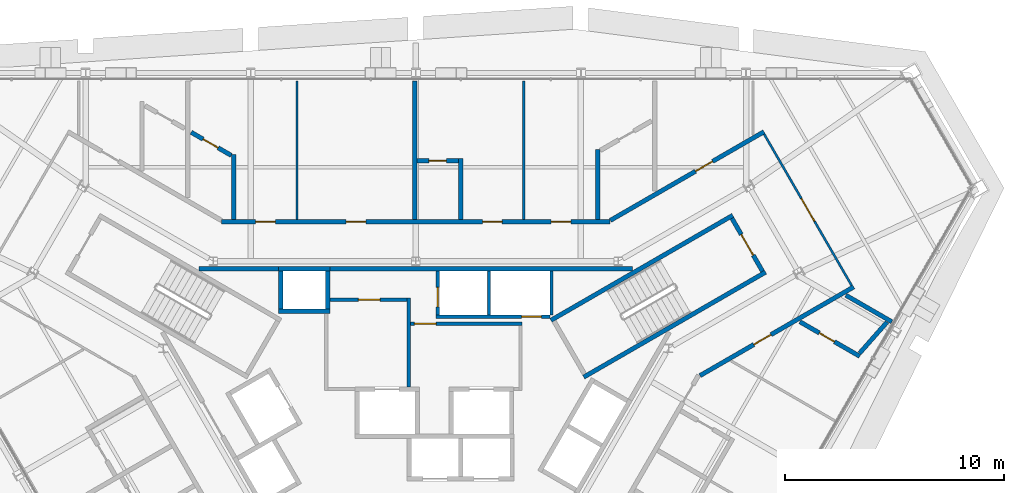
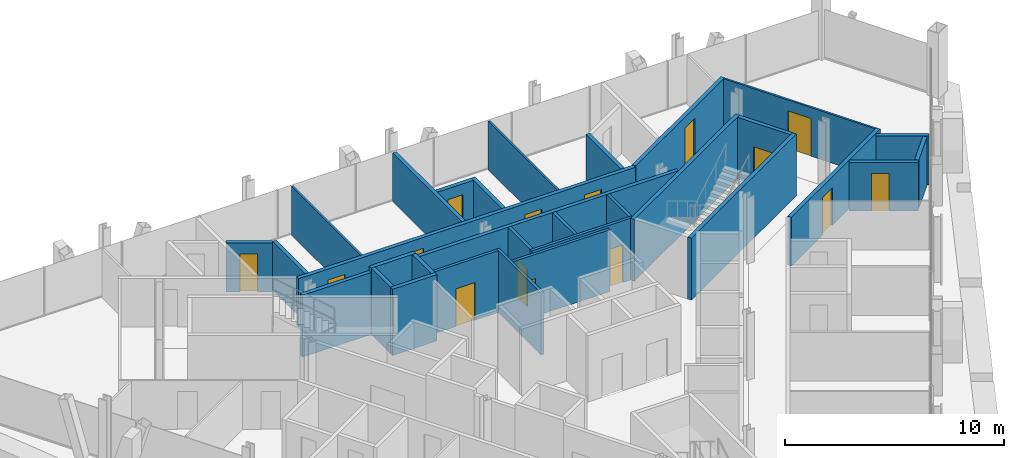
# One storey, part 11 of 13: 31 walls, 15 doors, 15 openings.
"""IFC4 building model written with IfcOpenShell, lengths in metres."""

from ifc_helpers import new_model, si_unit, direction, frame, frame_2d, origin, place, context, subcontext, project, spatial, rectangle, extrude, material, layer, layer_set, type_object, element, fill, save


model = new_model("IFC4")

# Units and contexts
model_context = context("Model", 3, precision=1e-05, world=origin(), true_north=direction((0.0, 1.0)))
body_context = subcontext(model_context, "Body", "Model", "MODEL_VIEW")
ifc_project = project(units=[si_unit("LENGTHUNIT", "METRE"), si_unit("AREAUNIT", "SQUARE_METRE"), si_unit("VOLUMEUNIT", "CUBIC_METRE"), si_unit("PLANEANGLEUNIT", "RADIAN"), si_unit("MASSUNIT", "GRAM", prefix="KILO")], contexts=[model_context])

# Site, building, storey
site_placement = place(None, origin())
site = spatial("IfcSite", under=ifc_project, at=site_placement, CompositionType="ELEMENT")
building_placement = place(site_placement, origin())
building = spatial("IfcBuilding", under=site, at=building_placement, Name="Verrane Prism Tower", CompositionType="ELEMENT")
storey_placement = place(building_placement, frame((0.0, 0.0, 152.5)))
storey = spatial("IfcBuildingStorey", under=building, at=storey_placement, Name="L37", CompositionType="ELEMENT", Elevation=152.5)

# Walls
ifc_material_1 = material(Name="Gypsum board partition", Category="other")
ifc_layer_1 = layer(ifc_material_1, 0.199951171875)
ifc_layer_set_1 = layer_set([ifc_layer_1], Name="CW-200 core boundary wall 2 h")
wall_type_1 = type_object("IfcWallType", Name="CW-200 core boundary wall 2 h", PredefinedType="PARTITIONING", material=ifc_layer_set_1)
wall_1_placement = place(storey_placement, frame((-9.907958984375, 7.659912109375, 0.0), z_axis=(0.0, 0.0, 1.0), x_axis=(1.0, 0.0, 0.0)))
element("IfcWall", 1, at=wall_1_placement, inside=storey, type_object=wall_type_1, Name="Core boundary wall CW3-002", PredefinedType="PARTITIONING", context=body_context, shape_type="SweptSolid", body=[
    extrude(rectangle(XDim=3.620849609375, YDim=0.199951171875, at=frame_2d((1.810546875, 0.0))), origin(), (0.0, 0.0, 1.0), 3.449951171875),
])
wall_2_placement = place(storey_placement, frame((-3.93310546875, 7.659912109375, 0.0), z_axis=(0.0, 0.0, 1.0), x_axis=(1.0, 0.0, 0.0)))
element("IfcWall", 2, at=wall_2_placement, inside=storey, type_object=wall_type_1, Name="Core boundary wall CW3-005", PredefinedType="PARTITIONING", context=body_context, shape_type="SweptSolid", body=[
    extrude(rectangle(XDim=13.841064453125, YDim=0.199951171875, at=frame_2d((6.92041015625, 0.0))), origin(), (0.0, 0.0, 1.0), 3.449951171875),
])

# Wall, opening, door
ifc_material_2 = material(Name="Concrete C40/50", Category="concrete")
ifc_layer_2 = layer(ifc_material_2, 0.199951171875)
ifc_layer_set_2 = layer_set([ifc_layer_2], Name="CW-200 stair core wall concrete C40/50 3 h")
wall_type_2 = type_object("IfcWallType", Name="CW-200 stair core wall concrete C40/50 3 h", PredefinedType="PARTITIONING", material=ifc_layer_set_2)
wall_3_placement = place(storey_placement, frame((15.85546875, 7.53759765625, 0.0), z_axis=(0.0, 0.0, 1.0), x_axis=(-0.500049511043, 0.865996816683, 0.0)))
wall_3 = element("IfcWall", 3, at=wall_3_placement, inside=storey, type_object=wall_type_2, Name="Stair 1 enclosure wall", PredefinedType="PARTITIONING", context=body_context, shape_type="SweptSolid", body=[
    extrude(rectangle(XDim=2.800048828125, YDim=0.199951171875, at=frame_2d((1.39990234375, 0.0))), origin(), (0.0, 0.0, 1.0), 3.449951171875),
])
opening_1_placement = place(wall_3_placement, frame((0.849853515625, 0.0, 0.0)))
opening_1 = element("IfcOpeningElement", 4, at=opening_1_placement, cuts=wall_3, Name="Opening D36500", PredefinedType="OPENING", context=body_context, shape_type="SweptSolid", body=[
    extrude(rectangle(XDim=1.10009765625, YDim=2.10009765625, at=frame_2d((0.550048828125, 1.050048828125))), frame((0.0, 0.10986328125, 0.0), z_axis=(0.0, -1.0, 0.0), x_axis=(1.0, 0.0, 0.0)), (0.0, 0.0, 1.0), 0.219970703125),
])
ifc_material_3 = material(Name="Timber veneered door leaf", Category="wood")
door_type_1 = type_object("IfcDoorType", Name="DR-1100x2100 FD90 single leaf stair", OperationType="NOTDEFINED", PredefinedType="DOOR", material=ifc_material_3)
door_1_placement = place(opening_1_placement, origin())
door_1 = element("IfcDoor", 5, at=door_1_placement, inside=storey, type_object=door_type_1, Name="Stair 1 door", OperationType="SINGLE_SWING_LEFT", OverallHeight=2.10009765625, OverallWidth=1.10009765625, PredefinedType="DOOR", context=body_context, shape_type="SweptSolid", body=[
    extrude(rectangle(XDim=1.10009765625, YDim=2.10009765625, at=frame_2d((0.550048828125, 1.050048828125))), frame((0.0, 0.02490234375, 0.0), z_axis=(0.0, -1.0, 0.0), x_axis=(1.0, 0.0, 0.0)), (0.0, 0.0, 1.0), 0.050048828125),
])
fill(opening_1, door_1)

# Walls
for number, where, z_axis, x_axis, name in (
    (6, (6.17822265625, 5.299072265625, 0.0), (0.0, 0.0, 1.0), (0.866019993635, 0.500009370536, 0.0), "Stair 1 enclosure wall"),
    (7, (7.67822265625, 2.700927734375, 0.0), (0.0, 0.0, 1.0), (0.866019993635, 0.500009370536, 0.0), "Stair 1 enclosure wall"),
):
    element("IfcWall", number, at=place(storey_placement, frame(where, z_axis=z_axis, x_axis=x_axis)), inside=storey, type_object=wall_type_2, Name=name, PredefinedType="PARTITIONING", context=body_context, shape_type="SweptSolid", body=[
        extrude(rectangle(XDim=9.599853515625, YDim=0.199951171875, at=frame_2d((4.7998046875, 0.0))), origin(), (0.0, 0.0, 1.0), 3.449951171875),
    ])
ifc_material_4 = material(Name="Gypsum board shaft wall assembly", Category="other")
ifc_layer_3 = layer(ifc_material_4, 0.199951171875)
ifc_layer_set_3 = layer_set([ifc_layer_3], Name="HW-200 lift shaft wall 2 h")
wall_type_3 = type_object("IfcWallType", Name="HW-200 lift shaft wall 2 h", PredefinedType="PARTITIONING", material=ifc_layer_set_3)
for number, where, z_axis, x_axis, name in (
    (8, (-6.284912109375, 5.7099609375, 0.0), (0.0, 0.0, 1.0), (1.0, 0.0, 0.0), "Lift shaft wall"),
    (9, (-6.284912109375, 7.659912109375, 0.0), (0.0, 0.0, 1.0), (1.0, 0.0, 0.0), "Lift shaft wall"),
):
    element("IfcWall", number, at=place(storey_placement, frame(where, z_axis=z_axis, x_axis=x_axis)), inside=storey, type_object=wall_type_3, Name=name, PredefinedType="PARTITIONING", context=body_context, shape_type="SweptSolid", body=[
        extrude(rectangle(XDim=2.349853515625, YDim=0.199951171875, at=frame_2d((1.1748046875, 0.0))), origin(), (0.0, 0.0, 1.0), 3.699951171875),
    ])
for number, where, z_axis, x_axis, name in (
    (10, (-4.034912109375, 5.81005859375, 0.0), (0.0, 0.0, 1.0), (0.0, 1.0, 0.0), "Lift shaft wall"),
    (11, (-6.18505859375, 5.81005859375, 0.0), (0.0, 0.0, 1.0), (0.0, 1.0, 0.0), "Lift shaft wall"),
):
    element("IfcWall", number, at=place(storey_placement, frame(where, z_axis=z_axis, x_axis=x_axis)), inside=storey, type_object=wall_type_3, Name=name, PredefinedType="PARTITIONING", context=body_context, shape_type="SweptSolid", body=[
        extrude(rectangle(XDim=1.75, YDim=0.199951171875, at=frame_2d((0.875, 0.0))), origin(), (0.0, 0.0, 1.0), 3.699951171875),
    ])

# Wall, opening, door
ifc_material_5 = material(Name="Gypsum board partition", Category="other")
ifc_layer_4 = layer(ifc_material_5, 0.14990234375)
ifc_layer_set_4 = layer_set([ifc_layer_4], Name="LF-150 firefighting lobby wall 1 h")
wall_type_4 = type_object("IfcWallType", Name="LF-150 firefighting lobby wall 1 h", PredefinedType="PARTITIONING", material=ifc_layer_set_4)
wall_4_placement = place(storey_placement, frame((-3.93310546875, 6.239990234375, 0.0), z_axis=(0.0, 0.0, 1.0), x_axis=(1.0, 0.0, 0.0)))
wall_4 = element("IfcWall", 12, at=wall_4_placement, inside=storey, type_object=wall_type_4, Name="Firefighting lobby wall LF1-003", PredefinedType="PARTITIONING", context=body_context, shape_type="SweptSolid", body=[
    extrude(rectangle(XDim=3.5380859375, YDim=0.14990234375, at=frame_2d((1.76904296875, 0.0))), origin(), (0.0, 0.0, 1.0), 3.449951171875),
])
opening_2_placement = place(wall_4_placement, frame((1.300048828125, 0.0, 0.0)))
opening_2 = element("IfcOpeningElement", 13, at=opening_2_placement, cuts=wall_4, Name="Opening D36512", PredefinedType="OPENING", context=body_context, shape_type="SweptSolid", body=[
    extrude(rectangle(XDim=1.0, YDim=2.10009765625, at=frame_2d((0.5, 1.050048828125))), frame((0.0, 0.0849609375, 0.0), z_axis=(0.0, -1.0, 0.0), x_axis=(1.0, 0.0, 0.0)), (0.0, 0.0, 1.0), 0.169921875),
])
ifc_material_6 = material(Name="Timber veneered door leaf", Category="wood")
door_type_2 = type_object("IfcDoorType", Name="DR-1000x2100 FD60 single leaf firefighting lobby", OperationType="NOTDEFINED", PredefinedType="DOOR", material=ifc_material_6)
door_2_placement = place(opening_2_placement, origin())
door_2 = element("IfcDoor", 14, at=door_2_placement, inside=storey, type_object=door_type_2, Name="Firefighting lobby door D36512", OperationType="SINGLE_SWING_LEFT", OverallHeight=2.10009765625, OverallWidth=1.0, PredefinedType="DOOR", context=body_context, shape_type="SweptSolid", body=[
    extrude(rectangle(XDim=1.0, YDim=2.10009765625, at=frame_2d((0.5, 1.050048828125))), frame((0.0, 0.02490234375, 0.0), z_axis=(0.0, -1.0, 0.0), x_axis=(1.0, 0.0, 0.0)), (0.0, 0.0, 1.0), 0.050048828125),
])
fill(opening_2, door_2)

# Wall
wall_5_placement = place(storey_placement, frame((-0.320068359375, 2.251953125, 0.0), z_axis=(0.0, 0.0, 1.0), x_axis=(0.0, 1.0, 0.0)))
element("IfcWall", 15, at=wall_5_placement, inside=storey, type_object=wall_type_4, Name="Firefighting lobby wall LF1-004", PredefinedType="PARTITIONING", context=body_context, shape_type="SweptSolid", body=[
    extrude(rectangle(XDim=4.06298828125, YDim=0.14990234375, at=frame_2d((2.031494140625, 0.0))), origin(), (0.0, 0.0, 1.0), 3.449951171875),
])

# Wall, opening, door
wall_6_placement = place(storey_placement, frame((-0.2451171875, 5.139892578125, 0.0), z_axis=(0.0, 0.0, 1.0), x_axis=(1.0, 0.0, 0.0)))
wall_6 = element("IfcWall", 16, at=wall_6_placement, inside=storey, type_object=wall_type_4, Name="Firefighting lobby wall LF1-005", PredefinedType="PARTITIONING", context=body_context, shape_type="SweptSolid", body=[
    extrude(rectangle(XDim=5.110107421875, YDim=0.14990234375, at=frame_2d((2.55517578125, 0.0))), origin(), (0.0, 0.0, 1.0), 3.449951171875),
])
opening_3_placement = place(wall_6_placement, frame((0.175048828125, 0.0, 0.0)))
opening_3 = element("IfcOpeningElement", 17, at=opening_3_placement, cuts=wall_6, Name="Opening D36513", PredefinedType="OPENING", context=body_context, shape_type="SweptSolid", body=[
    extrude(rectangle(XDim=1.0, YDim=2.10009765625, at=frame_2d((0.5, 1.050048828125))), frame((0.0, 0.0849609375, 0.0), z_axis=(0.0, -1.0, 0.0), x_axis=(1.0, 0.0, 0.0)), (0.0, 0.0, 1.0), 0.169921875),
])
door_3_placement = place(opening_3_placement, origin())
door_3 = element("IfcDoor", 18, at=door_3_placement, inside=storey, type_object=door_type_2, Name="Firefighting lobby door D36513", OperationType="SINGLE_SWING_LEFT", OverallHeight=2.10009765625, OverallWidth=1.0, PredefinedType="DOOR", context=body_context, shape_type="SweptSolid", body=[
    extrude(rectangle(XDim=1.0, YDim=2.10009765625, at=frame_2d((0.5, 1.050048828125))), frame((0.0, 0.02490234375, 0.0), z_axis=(0.0, -1.0, 0.0), x_axis=(1.0, 0.0, 0.0)), (0.0, 0.0, 1.0), 0.050048828125),
])
fill(opening_3, door_3)

# Walls
ifc_material_7 = material(Name="Gypsum board partition", Category="other")
ifc_layer_5 = layer(ifc_material_7, 0.10009765625)
ifc_layer_set_5 = layer_set([ifc_layer_5], Name="PW-100 room partition")
wall_type_5 = type_object("IfcWallType", Name="PW-100 room partition", PredefinedType="PARTITIONING", material=ifc_layer_set_5)
for number, where, z_axis, x_axis, name in (
    (19, (-5.43701171875, 9.89990234375, 0.0), (0.0, 0.0, 1.0), (0.0, 1.0, 0.0), "Room partition 023"),
    (20, (4.93798828125, 9.89990234375, 0.0), (0.0, 0.0, 1.0), (0.0, 1.0, 0.0), "Room partition 032"),
):
    element("IfcWall", number, at=place(storey_placement, frame(where, z_axis=z_axis, x_axis=x_axis)), inside=storey, type_object=wall_type_5, Name=name, PredefinedType="PARTITIONING", context=body_context, shape_type="SweptSolid", body=[
        extrude(rectangle(XDim=6.335205078125, YDim=0.10009765625, at=frame_2d((3.16748046875, 0.0))), origin(), (0.0, 0.0, 1.0), 2.712890625),
    ])

# Wall, opening, door
wall_7_placement = place(storey_placement, frame((15.927978515625, 13.8115234375, 0.0), z_axis=(0.0, 0.0, 1.0), x_axis=(0.500420003794, -0.865782778648, 0.0)))
wall_7 = element("IfcWall", 21, at=wall_7_placement, inside=storey, type_object=wall_type_5, Name="Room partition 047", PredefinedType="PARTITIONING", context=body_context, shape_type="SweptSolid", body=[
    extrude(rectangle(XDim=7.9970703125, YDim=0.10009765625, at=frame_2d((3.99853515625, 0.0))), origin(), (0.0, 0.0, 1.0), 2.712890625),
])
opening_4_placement = place(wall_7_placement, frame((3.39990234375, 0.0, 0.0)))
opening_4 = element("IfcOpeningElement", 22, at=opening_4_placement, cuts=wall_7, Name="Opening D36009", PredefinedType="OPENING", context=body_context, shape_type="SweptSolid", body=[
    extrude(rectangle(XDim=1.199951171875, YDim=2.10009765625, at=frame_2d((0.60009765625, 1.050048828125))), frame((0.0, 0.06005859375, 0.0), z_axis=(0.0, -1.0, 0.0), x_axis=(1.0, 0.0, 0.0)), (0.0, 0.0, 1.0), 0.1201171875),
])
ifc_material_8 = material(Name="Timber veneered door leaf", Category="wood")
door_type_3 = type_object("IfcDoorType", Name="DR-1200x2100 single leaf unit", OperationType="NOTDEFINED", PredefinedType="DOOR", material=ifc_material_8)
door_4_placement = place(opening_4_placement, origin())
door_4 = element("IfcDoor", 23, at=door_4_placement, inside=storey, type_object=door_type_3, Name="Living And Dining Room door", OperationType="SINGLE_SWING_LEFT", OverallHeight=2.10009765625, OverallWidth=1.199951171875, PredefinedType="DOOR", context=body_context, shape_type="SweptSolid", body=[
    extrude(rectangle(XDim=1.199951171875, YDim=2.10009765625, at=frame_2d((0.60009765625, 1.050048828125))), frame((0.0, 0.02490234375, 0.0), z_axis=(0.0, -1.0, 0.0), x_axis=(1.0, 0.0, 0.0)), (0.0, 0.0, 1.0), 0.050048828125),
])
fill(opening_4, door_4)

ifc_material_9 = material(Name="Gypsum board partition", Category="other")
ifc_layer_6 = layer(ifc_material_9, 0.199951171875)
ifc_layer_set_6 = layer_set([ifc_layer_6], Name="PW-200 plumbing wall")
wall_type_6 = type_object("IfcWallType", Name="PW-200 plumbing wall", PredefinedType="PARTITIONING", material=ifc_layer_set_6)
wall_8_placement = place(storey_placement, frame((-8.44189453125, 12.839599609375, 0.0), z_axis=(0.0, 0.0, 1.0), x_axis=(-0.866112597434, 0.499848945749, 0.0)))
wall_8 = element("IfcWall", 24, at=wall_8_placement, inside=storey, type_object=wall_type_6, Name="Plumbing wall 018", PredefinedType="PARTITIONING", context=body_context, shape_type="SweptSolid", body=[
    extrude(rectangle(XDim=2.116455078125, YDim=0.199951171875, at=frame_2d((1.05810546875, 0.0))), origin(), (0.0, 0.0, 1.0), 2.712890625),
])
opening_5_placement = place(wall_8_placement, frame((0.689697265625, 0.0, 0.0)))
opening_5 = element("IfcOpeningElement", 25, at=opening_5_placement, cuts=wall_8, Name="Opening D36017", PredefinedType="OPENING", context=body_context, shape_type="SweptSolid", body=[
    extrude(rectangle(XDim=0.800048828125, YDim=2.10009765625, at=frame_2d((0.39990234375, 1.050048828125))), frame((0.0, 0.10986328125, 0.0), z_axis=(0.0, -1.0, 0.0), x_axis=(1.0, 0.0, 0.0)), (0.0, 0.0, 1.0), 0.219970703125),
])
ifc_material_10 = material(Name="Timber veneered door leaf", Category="wood")
door_type_4 = type_object("IfcDoorType", Name="DR-800x2100 single leaf bath", OperationType="NOTDEFINED", PredefinedType="DOOR", material=ifc_material_10)
door_5_placement = place(opening_5_placement, origin())
door_5 = element("IfcDoor", 26, at=door_5_placement, inside=storey, type_object=door_type_4, Name="Bathroom door", OperationType="SINGLE_SWING_RIGHT", OverallHeight=2.10009765625, OverallWidth=0.800048828125, PredefinedType="DOOR", context=body_context, shape_type="SweptSolid", body=[
    extrude(rectangle(XDim=0.800048828125, YDim=2.10009765625, at=frame_2d((0.39990234375, 1.050048828125))), frame((0.0, 0.02490234375, 0.0), z_axis=(0.0, -1.0, 0.0), x_axis=(1.0, 0.0, 0.0)), (0.0, 0.0, 1.0), 0.050048828125),
])
fill(opening_5, door_5)

# Wall, openings, doors
wall_9_placement = place(storey_placement, frame((-8.8779296875, 9.800048828125, 0.0), z_axis=(0.0, 0.0, 1.0), x_axis=(1.0, 0.0, 0.0)))
wall_9 = element("IfcWall", 27, at=wall_9_placement, inside=storey, type_object=wall_type_6, Name="Plumbing wall 020", PredefinedType="PARTITIONING", context=body_context, shape_type="SweptSolid", body=[
    extrude(rectangle(XDim=17.755859375, YDim=0.199951171875, at=frame_2d((8.8779296875, 0.0))), origin(), (0.0, 0.0, 1.0), 2.712890625),
])
opening_6_placement = place(wall_9_placement, frame((15.06591796875, 0.0, 0.0)))
opening_6 = element("IfcOpeningElement", 28, at=opening_6_placement, cuts=wall_9, Name="Opening D36011", PredefinedType="OPENING", context=body_context, shape_type="SweptSolid", body=[
    extrude(rectangle(XDim=0.89990234375, YDim=2.10009765625, at=frame_2d((0.449951171875, 1.050048828125))), frame((0.0, 0.10986328125, 0.0), z_axis=(0.0, -1.0, 0.0), x_axis=(1.0, 0.0, 0.0)), (0.0, 0.0, 1.0), 0.219970703125),
])
opening_7_placement = place(wall_9_placement, frame((11.927978515625, 0.0, 0.0)))
opening_7 = element("IfcOpeningElement", 29, at=opening_7_placement, cuts=wall_9, Name="Opening D36013", PredefinedType="OPENING", context=body_context, shape_type="SweptSolid", body=[
    extrude(rectangle(XDim=0.89990234375, YDim=2.10009765625, at=frame_2d((0.449951171875, 1.050048828125))), frame((0.0, 0.10986328125, 0.0), z_axis=(0.0, -1.0, 0.0), x_axis=(1.0, 0.0, 0.0)), (0.0, 0.0, 1.0), 0.219970703125),
])
opening_8_placement = place(wall_9_placement, frame((5.69091796875, 0.0, 0.0)))
opening_8 = element("IfcOpeningElement", 30, at=opening_8_placement, cuts=wall_9, Name="Opening D36015", PredefinedType="OPENING", context=body_context, shape_type="SweptSolid", body=[
    extrude(rectangle(XDim=0.89990234375, YDim=2.10009765625, at=frame_2d((0.449951171875, 1.050048828125))), frame((0.0, 0.10986328125, 0.0), z_axis=(0.0, -1.0, 0.0), x_axis=(1.0, 0.0, 0.0)), (0.0, 0.0, 1.0), 0.219970703125),
])
opening_9_placement = place(wall_9_placement, frame((1.552978515625, 0.0, 0.0)))
opening_9 = element("IfcOpeningElement", 31, at=opening_9_placement, cuts=wall_9, Name="Opening D36016", PredefinedType="OPENING", context=body_context, shape_type="SweptSolid", body=[
    extrude(rectangle(XDim=0.89990234375, YDim=2.10009765625, at=frame_2d((0.449951171875, 1.050048828125))), frame((0.0, 0.10986328125, 0.0), z_axis=(0.0, -1.0, 0.0), x_axis=(1.0, 0.0, 0.0)), (0.0, 0.0, 1.0), 0.219970703125),
])
ifc_material_11 = material(Name="Timber veneered door leaf", Category="wood")
door_type_5 = type_object("IfcDoorType", Name="DR-900x2100 single leaf inner", OperationType="NOTDEFINED", PredefinedType="DOOR", material=ifc_material_11)
door_6_placement = place(opening_6_placement, origin())
door_6 = element("IfcDoor", 32, at=door_6_placement, inside=storey, type_object=door_type_5, Name="Master Bedroom door", OperationType="SINGLE_SWING_LEFT", OverallHeight=2.10009765625, OverallWidth=0.89990234375, PredefinedType="DOOR", context=body_context, shape_type="SweptSolid", body=[
    extrude(rectangle(XDim=0.89990234375, YDim=2.10009765625, at=frame_2d((0.449951171875, 1.050048828125))), frame((0.0, 0.02490234375, 0.0), z_axis=(0.0, -1.0, 0.0), x_axis=(1.0, 0.0, 0.0)), (0.0, 0.0, 1.0), 0.050048828125),
])
fill(opening_6, door_6)
door_7_placement = place(opening_7_placement, origin())
door_7 = element("IfcDoor", 33, at=door_7_placement, inside=storey, type_object=door_type_5, Name="Bedroom door", OperationType="SINGLE_SWING_LEFT", OverallHeight=2.10009765625, OverallWidth=0.89990234375, PredefinedType="DOOR", context=body_context, shape_type="SweptSolid", body=[
    extrude(rectangle(XDim=0.89990234375, YDim=2.10009765625, at=frame_2d((0.449951171875, 1.050048828125))), frame((0.0, 0.02490234375, 0.0), z_axis=(0.0, -1.0, 0.0), x_axis=(1.0, 0.0, 0.0)), (0.0, 0.0, 1.0), 0.050048828125),
])
fill(opening_7, door_7)
door_8_placement = place(opening_9_placement, origin())
door_8 = element("IfcDoor", 34, at=door_8_placement, inside=storey, type_object=door_type_5, Name="Bedroom door", OperationType="SINGLE_SWING_RIGHT", OverallHeight=2.10009765625, OverallWidth=0.89990234375, PredefinedType="DOOR", context=body_context, shape_type="SweptSolid", body=[
    extrude(rectangle(XDim=0.89990234375, YDim=2.10009765625, at=frame_2d((0.449951171875, 1.050048828125))), frame((0.0, 0.02490234375, 0.0), z_axis=(0.0, -1.0, 0.0), x_axis=(1.0, 0.0, 0.0)), (0.0, 0.0, 1.0), 0.050048828125),
])
fill(opening_9, door_8)
ifc_material_12 = material(Name="Timber veneered door leaf", Category="wood")
door_type_6 = type_object("IfcDoorType", Name="DR-900x2100 single leaf unit", OperationType="NOTDEFINED", PredefinedType="DOOR", material=ifc_material_12)
door_9_placement = place(opening_8_placement, origin())
door_9 = element("IfcDoor", 35, at=door_9_placement, inside=storey, type_object=door_type_6, Name="Study door", OperationType="SINGLE_SWING_LEFT", OverallHeight=2.10009765625, OverallWidth=0.89990234375, PredefinedType="DOOR", context=body_context, shape_type="SweptSolid", body=[
    extrude(rectangle(XDim=0.89990234375, YDim=2.10009765625, at=frame_2d((0.449951171875, 1.050048828125))), frame((0.0, 0.02490234375, 0.0), z_axis=(0.0, -1.0, 0.0), x_axis=(1.0, 0.0, 0.0)), (0.0, 0.0, 1.0), 0.050048828125),
])
fill(opening_8, door_9)

# Walls
wall_10_placement = place(storey_placement, frame((-8.324951171875, 9.89990234375, 0.0), z_axis=(0.0, 0.0, 1.0), x_axis=(0.0, 1.0, 0.0)))
element("IfcWall", 36, at=wall_10_placement, inside=storey, type_object=wall_type_6, Name="Plumbing wall 021", PredefinedType="PARTITIONING", context=body_context, shape_type="SweptSolid", body=[
    extrude(rectangle(XDim=2.97216796875, YDim=0.199951171875, at=frame_2d((1.486083984375, 0.0))), origin(), (0.0, 0.0, 1.0), 2.712890625),
])
wall_11_placement = place(storey_placement, frame((-0.050048828125, 9.89990234375, 0.0), z_axis=(0.0, 0.0, 1.0), x_axis=(0.0, 1.0, 0.0)))
element("IfcWall", 37, at=wall_11_placement, inside=storey, type_object=wall_type_6, Name="Plumbing wall 026", PredefinedType="PARTITIONING", context=body_context, shape_type="SweptSolid", body=[
    extrude(rectangle(XDim=6.335205078125, YDim=0.199951171875, at=frame_2d((3.16748046875, 0.0))), origin(), (0.0, 0.0, 1.0), 2.712890625),
])

# Wall, opening, door
wall_12_placement = place(storey_placement, frame((1.949951171875, 12.60009765625, 0.0), z_axis=(0.0, 0.0, 1.0), x_axis=(-1.0, 0.0, 0.0)))
wall_12 = element("IfcWall", 38, at=wall_12_placement, inside=storey, type_object=wall_type_6, Name="Plumbing wall 027", PredefinedType="PARTITIONING", context=body_context, shape_type="SweptSolid", body=[
    extrude(rectangle(XDim=1.89990234375, YDim=0.199951171875, at=frame_2d((0.949951171875, 0.0))), origin(), (0.0, 0.0, 1.0), 2.712890625),
])
opening_10_placement = place(wall_12_placement, frame((0.550048828125, 0.0, 0.0)))
opening_10 = element("IfcOpeningElement", 39, at=opening_10_placement, cuts=wall_12, Name="Opening D36014", PredefinedType="OPENING", context=body_context, shape_type="SweptSolid", body=[
    extrude(rectangle(XDim=0.800048828125, YDim=2.10009765625, at=frame_2d((0.39990234375, 1.050048828125))), frame((0.0, 0.10986328125, 0.0), z_axis=(0.0, -1.0, 0.0), x_axis=(1.0, 0.0, 0.0)), (0.0, 0.0, 1.0), 0.219970703125),
])
door_10_placement = place(opening_10_placement, origin())
door_10 = element("IfcDoor", 40, at=door_10_placement, inside=storey, type_object=door_type_4, Name="Bathroom door", OperationType="SINGLE_SWING_LEFT", OverallHeight=2.10009765625, OverallWidth=0.800048828125, PredefinedType="DOOR", context=body_context, shape_type="SweptSolid", body=[
    extrude(rectangle(XDim=0.800048828125, YDim=2.10009765625, at=frame_2d((0.39990234375, 1.050048828125))), frame((0.0, 0.02490234375, 0.0), z_axis=(0.0, -1.0, 0.0), x_axis=(1.0, 0.0, 0.0)), (0.0, 0.0, 1.0), 0.050048828125),
])
fill(opening_10, door_10)

# Walls
wall_13_placement = place(storey_placement, frame((2.050048828125, 9.89990234375, 0.0), z_axis=(0.0, 0.0, 1.0), x_axis=(0.0, 1.0, 0.0)))
element("IfcWall", 41, at=wall_13_placement, inside=storey, type_object=wall_type_6, Name="Plumbing wall 028", PredefinedType="PARTITIONING", context=body_context, shape_type="SweptSolid", body=[
    extrude(rectangle(XDim=2.800048828125, YDim=0.199951171875, at=frame_2d((1.39990234375, 0.0))), origin(), (0.0, 0.0, 1.0), 2.712890625),
])
wall_14_placement = place(storey_placement, frame((8.323974609375, 9.89990234375, 0.0), z_axis=(0.0, 0.0, 1.0), x_axis=(0.0, 1.0, 0.0)))
element("IfcWall", 42, at=wall_14_placement, inside=storey, type_object=wall_type_6, Name="Plumbing wall 034", PredefinedType="PARTITIONING", context=body_context, shape_type="SweptSolid", body=[
    extrude(rectangle(XDim=3.2021484375, YDim=0.199951171875, at=frame_2d((1.60107421875, 0.0))), origin(), (0.0, 0.0, 1.0), 2.712890625),
])

# Wall, opening, door
wall_15_placement = place(storey_placement, frame((8.89501953125, 9.867431640625, 0.0), z_axis=(0.0, 0.0, 1.0), x_axis=(0.866079355551, 0.499906541154, 0.0)))
wall_15 = element("IfcWall", 43, at=wall_15_placement, inside=storey, type_object=wall_type_6, Name="Plumbing wall 037", PredefinedType="PARTITIONING", context=body_context, shape_type="SweptSolid", body=[
    extrude(rectangle(XDim=8.11279296875, YDim=0.199951171875, at=frame_2d((4.056396484375, 0.0))), origin(), (0.0, 0.0, 1.0), 2.712890625),
])
opening_11_placement = place(wall_15_placement, frame((4.492919921875, 0.0, 0.0)))
opening_11 = element("IfcOpeningElement", 44, at=opening_11_placement, cuts=wall_15, Name="Opening D36010", PredefinedType="OPENING", context=body_context, shape_type="SweptSolid", body=[
    extrude(rectangle(XDim=0.89990234375, YDim=2.10009765625, at=frame_2d((0.449951171875, 1.050048828125))), frame((0.0, 0.10986328125, 0.0), z_axis=(0.0, -1.0, 0.0), x_axis=(1.0, 0.0, 0.0)), (0.0, 0.0, 1.0), 0.219970703125),
])
door_11_placement = place(opening_11_placement, origin())
door_11 = element("IfcDoor", 45, at=door_11_placement, inside=storey, type_object=door_type_6, Name="Kitchen door", OperationType="SINGLE_SWING_RIGHT", OverallHeight=2.10009765625, OverallWidth=0.89990234375, PredefinedType="DOOR", context=body_context, shape_type="SweptSolid", body=[
    extrude(rectangle(XDim=0.89990234375, YDim=2.10009765625, at=frame_2d((0.449951171875, 1.050048828125))), frame((0.0, 0.02490234375, 0.0), z_axis=(0.0, -1.0, 0.0), x_axis=(1.0, 0.0, 0.0)), (0.0, 0.0, 1.0), 0.050048828125),
])
fill(opening_11, door_11)

wall_16_placement = place(storey_placement, frame((20.023193359375, 6.825927734375, 0.0), z_axis=(0.0, 0.0, 1.0), x_axis=(-0.866100425926, -0.499870035319, 0.0)))
wall_16 = element("IfcWall", 46, at=wall_16_placement, inside=storey, type_object=wall_type_6, Name="Plumbing wall 043", PredefinedType="PARTITIONING", context=body_context, shape_type="SweptSolid", body=[
    extrude(rectangle(XDim=8.114990234375, YDim=0.199951171875, at=frame_2d((4.0576171875, 0.0))), origin(), (0.0, 0.0, 1.0), 2.712890625),
])
opening_12_placement = place(wall_16_placement, frame((4.373046875, 0.0, 0.0)))
opening_12 = element("IfcOpeningElement", 47, at=opening_12_placement, cuts=wall_16, Name="Opening D36007", PredefinedType="OPENING", context=body_context, shape_type="SweptSolid", body=[
    extrude(rectangle(XDim=0.89990234375, YDim=2.10009765625, at=frame_2d((0.449951171875, 1.050048828125))), frame((0.0, 0.10986328125, 0.0), z_axis=(0.0, -1.0, 0.0), x_axis=(1.0, 0.0, 0.0)), (0.0, 0.0, 1.0), 0.219970703125),
])
door_12_placement = place(opening_12_placement, origin())
door_12 = element("IfcDoor", 48, at=door_12_placement, inside=storey, type_object=door_type_5, Name="Bedroom door", OperationType="SINGLE_SWING_RIGHT", OverallHeight=2.10009765625, OverallWidth=0.89990234375, PredefinedType="DOOR", context=body_context, shape_type="SweptSolid", body=[
    extrude(rectangle(XDim=0.89990234375, YDim=2.10009765625, at=frame_2d((0.449951171875, 1.050048828125))), frame((0.0, 0.02490234375, 0.0), z_axis=(0.0, -1.0, 0.0), x_axis=(1.0, 0.0, 0.0)), (0.0, 0.0, 1.0), 0.050048828125),
])
fill(opening_12, door_12)

wall_17_placement = place(storey_placement, frame((17.56201171875, 5.232421875, 0.0), z_axis=(0.0, 0.0, 1.0), x_axis=(0.866109679077, -0.499854002494, 0.0)))
wall_17 = element("IfcWall", 49, at=wall_17_placement, inside=storey, type_object=wall_type_6, Name="Plumbing wall 048", PredefinedType="PARTITIONING", context=body_context, shape_type="SweptSolid", body=[
    extrude(rectangle(XDim=3.15966796875, YDim=0.199951171875, at=frame_2d((1.579833984375, 0.0))), origin(), (0.0, 0.0, 1.0), 2.712890625),
])
opening_13_placement = place(wall_17_placement, frame((1.02685546875, 0.0, 0.0)))
opening_13 = element("IfcOpeningElement", 50, at=opening_13_placement, cuts=wall_17, Name="Opening D36008", PredefinedType="OPENING", context=body_context, shape_type="SweptSolid", body=[
    extrude(rectangle(XDim=0.800048828125, YDim=2.10009765625, at=frame_2d((0.39990234375, 1.050048828125))), frame((0.0, 0.10986328125, 0.0), z_axis=(0.0, -1.0, 0.0), x_axis=(1.0, 0.0, 0.0)), (0.0, 0.0, 1.0), 0.219970703125),
])
door_13_placement = place(opening_13_placement, origin())
door_13 = element("IfcDoor", 51, at=door_13_placement, inside=storey, type_object=door_type_4, Name="Bathroom door", OperationType="SINGLE_SWING_RIGHT", OverallHeight=2.10009765625, OverallWidth=0.800048828125, PredefinedType="DOOR", context=body_context, shape_type="SweptSolid", body=[
    extrude(rectangle(XDim=0.800048828125, YDim=2.10009765625, at=frame_2d((0.39990234375, 1.050048828125))), frame((0.0, 0.02490234375, 0.0), z_axis=(0.0, -1.0, 0.0), x_axis=(1.0, 0.0, 0.0)), (0.0, 0.0, 1.0), 0.050048828125),
])
fill(opening_13, door_13)

# Walls
wall_18_placement = place(storey_placement, frame((19.662841796875, 6.4453125, 0.0), z_axis=(0.0, 0.0, 1.0), x_axis=(0.86589602499, -0.50022402372, 0.0)))
element("IfcWall", 52, at=wall_18_placement, inside=storey, type_object=wall_type_6, Name="Plumbing wall 049", PredefinedType="PARTITIONING", context=body_context, shape_type="SweptSolid", body=[
    extrude(rectangle(XDim=2.4296875, YDim=0.199951171875, at=frame_2d((1.21484375, 0.0))), origin(), (0.0, 0.0, 1.0), 2.712890625),
])
wall_19_placement = place(storey_placement, frame((20.291259765625, 3.79296875, 0.0), z_axis=(0.0, 0.0, 1.0), x_axis=(0.661392149771, 0.750040281733, 0.0)))
element("IfcWall", 53, at=wall_19_placement, inside=storey, type_object=wall_type_6, Name="Plumbing wall 050", PredefinedType="PARTITIONING", context=body_context, shape_type="SweptSolid", body=[
    extrude(rectangle(XDim=1.900390625, YDim=0.199951171875, at=frame_2d((0.9501953125, 0.0))), origin(), (0.0, 0.0, 1.0), 2.712890625),
])

# Wall, opening, door
ifc_material_13 = material(Name="Gypsum board partition", Category="other")
ifc_layer_7 = layer(ifc_material_13, 0.14990234375)
ifc_layer_set_7 = layer_set([ifc_layer_7], Name="RS-150 riser enclosure wall 1 h")
wall_type_7 = type_object("IfcWallType", Name="RS-150 riser enclosure wall 1 h", PredefinedType="PARTITIONING", material=ifc_layer_set_7)
wall_20_placement = place(storey_placement, frame((1.0, 7.56005859375, 0.0), z_axis=(0.0, 0.0, 1.0), x_axis=(0.0, -1.0, 0.0)))
wall_20 = element("IfcWall", 54, at=wall_20_placement, inside=storey, type_object=wall_type_7, Name="Riser wall RS3-001", PredefinedType="PARTITIONING", context=body_context, shape_type="SweptSolid", body=[
    extrude(rectangle(XDim=2.025146484375, YDim=0.14990234375, at=frame_2d((1.0126953125, 0.0))), origin(), (0.0, 0.0, 1.0), 3.449951171875),
])
opening_14_placement = place(wall_20_placement, frame((0.75, 0.0, 0.0)))
opening_14 = element("IfcOpeningElement", 55, at=opening_14_placement, cuts=wall_20, Name="Opening D36514", PredefinedType="OPENING", context=body_context, shape_type="SweptSolid", body=[
    extrude(rectangle(XDim=0.89990234375, YDim=2.10009765625, at=frame_2d((0.449951171875, 1.050048828125))), frame((0.0, 0.0849609375, 0.0), z_axis=(0.0, -1.0, 0.0), x_axis=(1.0, 0.0, 0.0)), (0.0, 0.0, 1.0), 0.169921875),
])
ifc_material_14 = material(Name="Timber veneered door leaf", Category="wood")
door_type_7 = type_object("IfcDoorType", Name="DR-900x2100 FD60 single leaf riser", OperationType="NOTDEFINED", PredefinedType="DOOR", material=ifc_material_14)
door_14_placement = place(opening_14_placement, origin())
door_14 = element("IfcDoor", 56, at=door_14_placement, inside=storey, type_object=door_type_7, Name="Riser door D36514", OperationType="SINGLE_SWING_RIGHT", OverallHeight=2.10009765625, OverallWidth=0.89990234375, PredefinedType="DOOR", context=body_context, shape_type="SweptSolid", body=[
    extrude(rectangle(XDim=0.89990234375, YDim=2.10009765625, at=frame_2d((0.449951171875, 1.050048828125))), frame((0.0, 0.02490234375, 0.0), z_axis=(0.0, -1.0, 0.0), x_axis=(1.0, 0.0, 0.0)), (0.0, 0.0, 1.0), 0.050048828125),
])
fill(opening_14, door_14)

wall_21_placement = place(storey_placement, frame((0.925048828125, 5.4599609375, 0.0), z_axis=(0.0, 0.0, 1.0), x_axis=(1.0, 0.0, 0.0)))
wall_21 = element("IfcWall", 57, at=wall_21_placement, inside=storey, type_object=wall_type_7, Name="Riser wall RS3-002", PredefinedType="PARTITIONING", context=body_context, shape_type="SweptSolid", body=[
    extrude(rectangle(XDim=5.219970703125, YDim=0.14990234375, at=frame_2d((2.60986328125, 0.0))), origin(), (0.0, 0.0, 1.0), 3.449951171875),
])
opening_15_placement = place(wall_21_placement, frame((3.9150390625, 0.0, 0.0)))
opening_15 = element("IfcOpeningElement", 58, at=opening_15_placement, cuts=wall_21, Name="Opening D36515", PredefinedType="OPENING", context=body_context, shape_type="SweptSolid", body=[
    extrude(rectangle(XDim=0.89990234375, YDim=2.10009765625, at=frame_2d((0.449951171875, 1.050048828125))), frame((0.0, 0.0849609375, 0.0), z_axis=(0.0, -1.0, 0.0), x_axis=(1.0, 0.0, 0.0)), (0.0, 0.0, 1.0), 0.169921875),
])
door_15_placement = place(opening_15_placement, origin())
door_15 = element("IfcDoor", 59, at=door_15_placement, inside=storey, type_object=door_type_7, Name="Riser door D36515", OperationType="SINGLE_SWING_RIGHT", OverallHeight=2.10009765625, OverallWidth=0.89990234375, PredefinedType="DOOR", context=body_context, shape_type="SweptSolid", body=[
    extrude(rectangle(XDim=0.89990234375, YDim=2.10009765625, at=frame_2d((0.449951171875, 1.050048828125))), frame((0.0, 0.02490234375, 0.0), z_axis=(0.0, -1.0, 0.0), x_axis=(1.0, 0.0, 0.0)), (0.0, 0.0, 1.0), 0.050048828125),
])
fill(opening_15, door_15)

# Walls
for number, where, z_axis, x_axis, name in (
    (60, (3.340087890625, 5.534912109375, 0.0), (0.0, 0.0, 1.0), (0.0, 1.0, 0.0), "Riser wall RS3-006"),
    (61, (6.199951171875, 5.534912109375, 0.0), (0.0, 0.0, 1.0), (0.0, 1.0, 0.0), "Riser wall RS3-007"),
):
    element("IfcWall", number, at=place(storey_placement, frame(where, z_axis=z_axis, x_axis=x_axis)), inside=storey, type_object=wall_type_7, Name=name, PredefinedType="PARTITIONING", context=body_context, shape_type="SweptSolid", body=[
        extrude(rectangle(XDim=2.025146484375, YDim=0.14990234375, at=frame_2d((1.0126953125, 0.0))), origin(), (0.0, 0.0, 1.0), 3.449951171875),
    ])

save(model, "model.ifc")
